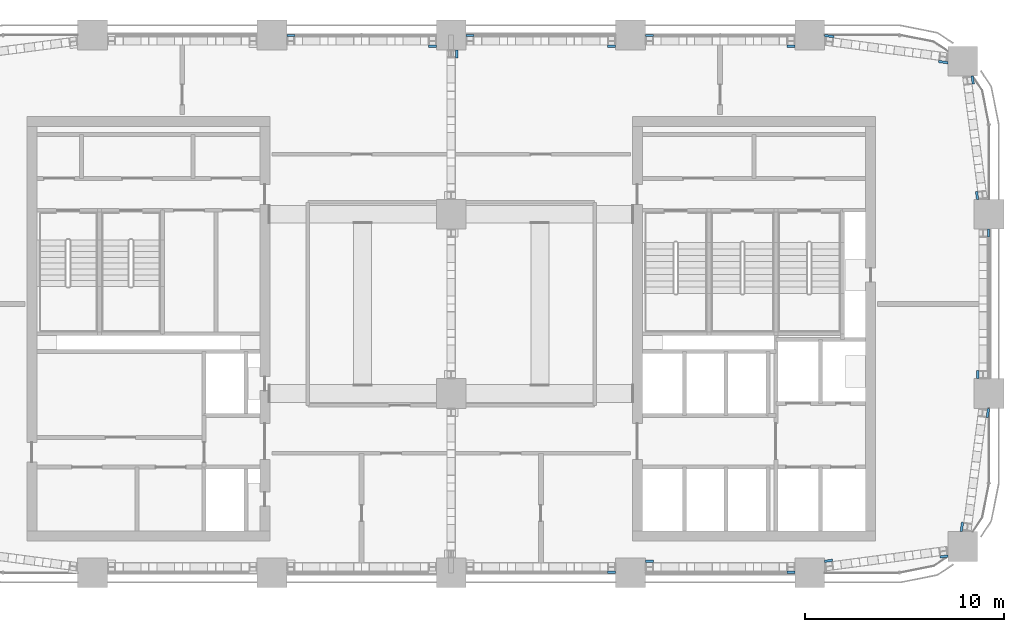
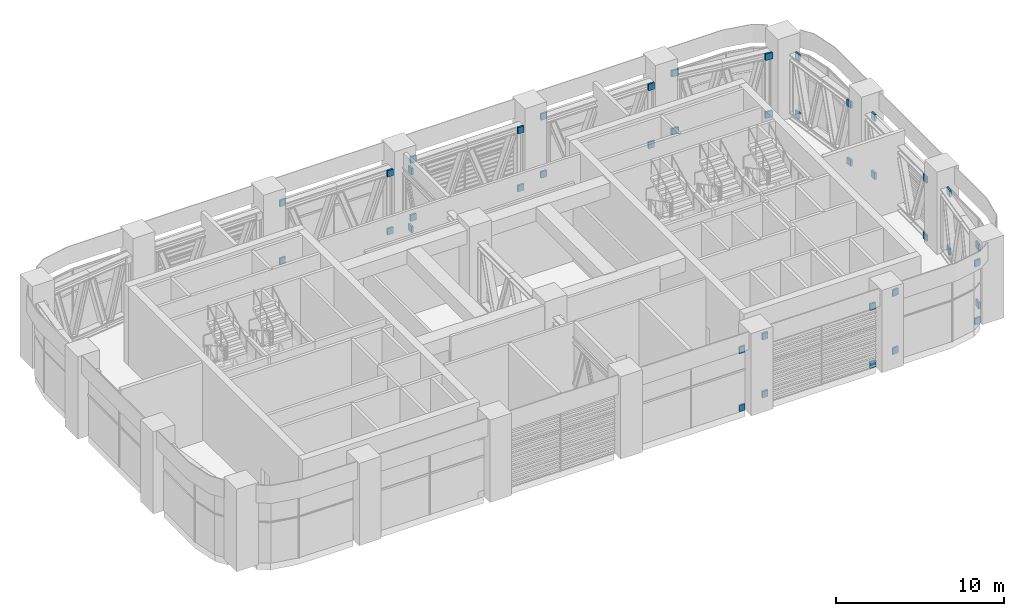
# One storey, part 16 of 19: 40 discrete accessories.
"""IFC4 building model written with IfcOpenShell, lengths in metres."""

from ifc_helpers import new_model, si_unit, direction, frame, origin, place, context, subcontext, project, spatial, polyline, outline, extrude, element, save


model = new_model("IFC4")

# Units and contexts
model_context = context("Model", 3, precision=1e-05, world=origin(), true_north=direction((0.0, 1.0)))
body_context = subcontext(model_context, "Body", "Model", "MODEL_VIEW")
ifc_project = project(units=[si_unit("LENGTHUNIT", "METRE"), si_unit("AREAUNIT", "SQUARE_METRE"), si_unit("VOLUMEUNIT", "CUBIC_METRE"), si_unit("PLANEANGLEUNIT", "RADIAN"), si_unit("MASSUNIT", "GRAM", prefix="KILO")], contexts=[model_context])

# Site, building, storey
site_placement = place(None, origin())
site = spatial("IfcSite", under=ifc_project, at=site_placement, CompositionType="ELEMENT")
building_placement = place(site_placement, origin())
building = spatial("IfcBuilding", under=site, at=building_placement, Name="Tessera Arch", CompositionType="ELEMENT")
storey_placement = place(building_placement, frame((0.0, 0.0, 197.300048828125)))
storey = spatial("IfcBuildingStorey", under=building, at=storey_placement, Name="L47", CompositionType="ELEMENT", Elevation=197.300048828125)

# Discrete accessories
discrete_accessory_1_placement = place(storey_placement, frame((0.0, 0.0, 4.225830078125)))
element("IfcDiscreteAccessory", 1, at=discrete_accessory_1_placement, inside=storey, Name="Chord seat bracket", PredefinedType="BRACKET", context=body_context, shape_type="SweptSolid", body=[
    extrude(outline(polyline([(53.488037109375, 36.75), (53.367919921875, 36.75), (53.367919921875, 37.14990234375), (53.488037109375, 37.14990234375), (53.488037109375, 36.75)])), origin(), (0.0, 0.0, 1.0), 0.47412109375),
])
discrete_accessory_2_placement = place(storey_placement, frame((0.0, 0.0, 4.225830078125)))
element("IfcDiscreteAccessory", 2, at=discrete_accessory_2_placement, inside=storey, Name="Chord seat bracket", PredefinedType="BRACKET", context=body_context, shape_type="SweptSolid", body=[
    extrude(outline(polyline([(53.912109375, 43.85009765625), (53.912109375, 44.25), (54.031982421875, 44.25), (54.031982421875, 43.85009765625), (53.912109375, 43.85009765625)])), origin(), (0.0, 0.0, 1.0), 0.47412109375),
])
discrete_accessory_3_placement = place(storey_placement, origin())
element("IfcDiscreteAccessory", 3, at=discrete_accessory_3_placement, inside=storey, Name="Chord seat bracket", PredefinedType="BRACKET", context=body_context, shape_type="SweptSolid", body=[
    extrude(outline(polyline([(53.488037109375, 36.75), (53.367919921875, 36.75), (53.367919921875, 37.14990234375), (53.488037109375, 37.14990234375), (53.488037109375, 36.75)])), origin(), (0.0, 0.0, 1.0), 0.47412109375),
])
discrete_accessory_4_placement = place(storey_placement, origin())
element("IfcDiscreteAccessory", 4, at=discrete_accessory_4_placement, inside=storey, Name="Chord seat bracket", PredefinedType="BRACKET", context=body_context, shape_type="SweptSolid", body=[
    extrude(outline(polyline([(53.912109375, 43.85009765625), (53.912109375, 44.25), (54.031982421875, 44.25), (54.031982421875, 43.85009765625), (53.912109375, 43.85009765625)])), origin(), (0.0, 0.0, 1.0), 0.47412109375),
])
discrete_accessory_5_placement = place(storey_placement, frame((0.0, 0.0, 4.225830078125)))
element("IfcDiscreteAccessory", 5, at=discrete_accessory_5_placement, inside=storey, Name="Chord seat bracket", PredefinedType="BRACKET", context=body_context, shape_type="SweptSolid", body=[
    extrude(outline(polyline([(53.43115234375, 46.146484375), (53.4833984375, 45.75), (53.362548828125, 45.75), (53.312255859375, 46.130859375), (53.43115234375, 46.146484375)])), origin(), (0.0, 0.0, 1.0), 0.47412109375),
])
discrete_accessory_6_placement = place(storey_placement, frame((0.0, 0.0, 4.225830078125)))
element("IfcDiscreteAccessory", 6, at=discrete_accessory_6_placement, inside=storey, Name="Chord seat bracket", PredefinedType="BRACKET", context=body_context, shape_type="SweptSolid", body=[
    extrude(outline(polyline([(53.148193359375, 51.52392578125), (53.094482421875, 51.931884765625), (53.21533203125, 51.931884765625), (53.267333984375, 51.53955078125), (53.148193359375, 51.52392578125)])), origin(), (0.0, 0.0, 1.0), 0.47412109375),
])
discrete_accessory_7_placement = place(storey_placement, origin())
element("IfcDiscreteAccessory", 7, at=discrete_accessory_7_placement, inside=storey, Name="Chord seat bracket", PredefinedType="BRACKET", context=body_context, shape_type="SweptSolid", body=[
    extrude(outline(polyline([(53.43115234375, 46.146484375), (53.4833984375, 45.75), (53.362548828125, 45.75), (53.312255859375, 46.130859375), (53.43115234375, 46.146484375)])), origin(), (0.0, 0.0, 1.0), 0.47412109375),
])
discrete_accessory_8_placement = place(storey_placement, origin())
element("IfcDiscreteAccessory", 8, at=discrete_accessory_8_placement, inside=storey, Name="Chord seat bracket", PredefinedType="BRACKET", context=body_context, shape_type="SweptSolid", body=[
    extrude(outline(polyline([(53.148193359375, 51.52392578125), (53.094482421875, 51.931884765625), (53.21533203125, 51.931884765625), (53.267333984375, 51.53955078125), (53.148193359375, 51.52392578125)])), origin(), (0.0, 0.0, 1.0), 0.47412109375),
])
discrete_accessory_9_placement = place(storey_placement, frame((0.0, 0.0, 4.225830078125)))
element("IfcDiscreteAccessory", 9, at=discrete_accessory_9_placement, inside=storey, Name="Chord seat bracket", PredefinedType="BRACKET", context=body_context, shape_type="SweptSolid", body=[
    extrude(outline(polyline([(51.468505859375, 52.727783203125), (51.931884765625, 52.66650390625), (51.931884765625, 52.545654296875), (51.45263671875, 52.60888671875), (51.468505859375, 52.727783203125)])), origin(), (0.0, 0.0, 1.0), 0.47412109375),
])
discrete_accessory_10_placement = place(storey_placement, frame((0.0, 0.0, 4.225830078125)))
element("IfcDiscreteAccessory", 10, at=discrete_accessory_10_placement, inside=storey, Name="Chord seat bracket", PredefinedType="BRACKET", context=body_context, shape_type="SweptSolid", body=[
    extrude(outline(polyline([(46.201904296875, 53.8515625), (45.75, 53.911376953125), (45.75, 54.0322265625), (46.2177734375, 53.970458984375), (46.201904296875, 53.8515625)])), origin(), (0.0, 0.0, 1.0), 0.47412109375),
])
discrete_accessory_11_placement = place(storey_placement, origin())
element("IfcDiscreteAccessory", 11, at=discrete_accessory_11_placement, inside=storey, Name="Chord seat bracket", PredefinedType="BRACKET", context=body_context, shape_type="SweptSolid", body=[
    extrude(outline(polyline([(51.468505859375, 52.727783203125), (51.931884765625, 52.66650390625), (51.931884765625, 52.545654296875), (51.45263671875, 52.60888671875), (51.468505859375, 52.727783203125)])), origin(), (0.0, 0.0, 1.0), 0.47412109375),
])
discrete_accessory_12_placement = place(storey_placement, origin())
element("IfcDiscreteAccessory", 12, at=discrete_accessory_12_placement, inside=storey, Name="Chord seat bracket", PredefinedType="BRACKET", context=body_context, shape_type="SweptSolid", body=[
    extrude(outline(polyline([(46.201904296875, 53.8515625), (45.75, 53.911376953125), (45.75, 54.0322265625), (46.2177734375, 53.970458984375), (46.201904296875, 53.8515625)])), origin(), (0.0, 0.0, 1.0), 0.47412109375),
])
discrete_accessory_13_placement = place(storey_placement, frame((0.0, 0.0, 4.225830078125)))
element("IfcDiscreteAccessory", 13, at=discrete_accessory_13_placement, inside=storey, Name="Chord seat bracket", PredefinedType="BRACKET", context=body_context, shape_type="SweptSolid", body=[
    extrude(outline(polyline([(43.85009765625, 53.488037109375), (44.25, 53.488037109375), (44.25, 53.367919921875), (43.85009765625, 53.367919921875), (43.85009765625, 53.488037109375)])), origin(), (0.0, 0.0, 1.0), 0.47412109375),
])
discrete_accessory_14_placement = place(storey_placement, frame((0.0, 0.0, 4.225830078125)))
element("IfcDiscreteAccessory", 14, at=discrete_accessory_14_placement, inside=storey, Name="Chord seat bracket", PredefinedType="BRACKET", context=body_context, shape_type="SweptSolid", body=[
    extrude(outline(polyline([(36.75, 53.912109375), (36.75, 54.031982421875), (37.14990234375, 54.031982421875), (37.14990234375, 53.912109375), (36.75, 53.912109375)])), origin(), (0.0, 0.0, 1.0), 0.47412109375),
])
discrete_accessory_15_placement = place(storey_placement, origin())
element("IfcDiscreteAccessory", 15, at=discrete_accessory_15_placement, inside=storey, Name="Chord seat bracket", PredefinedType="BRACKET", context=body_context, shape_type="SweptSolid", body=[
    extrude(outline(polyline([(43.85009765625, 53.488037109375), (44.25, 53.488037109375), (44.25, 53.367919921875), (43.85009765625, 53.367919921875), (43.85009765625, 53.488037109375)])), origin(), (0.0, 0.0, 1.0), 0.47412109375),
])
discrete_accessory_16_placement = place(storey_placement, origin())
element("IfcDiscreteAccessory", 16, at=discrete_accessory_16_placement, inside=storey, Name="Chord seat bracket", PredefinedType="BRACKET", context=body_context, shape_type="SweptSolid", body=[
    extrude(outline(polyline([(36.75, 53.912109375), (36.75, 54.031982421875), (37.14990234375, 54.031982421875), (37.14990234375, 53.912109375), (36.75, 53.912109375)])), origin(), (0.0, 0.0, 1.0), 0.47412109375),
])
discrete_accessory_17_placement = place(storey_placement, frame((0.0, 0.0, 4.225830078125)))
element("IfcDiscreteAccessory", 17, at=discrete_accessory_17_placement, inside=storey, Name="Chord seat bracket", PredefinedType="BRACKET", context=body_context, shape_type="SweptSolid", body=[
    extrude(outline(polyline([(35.25, 53.488037109375), (35.25, 53.367919921875), (34.85009765625, 53.367919921875), (34.85009765625, 53.488037109375), (35.25, 53.488037109375)])), origin(), (0.0, 0.0, 1.0), 0.47412109375),
])
discrete_accessory_18_placement = place(storey_placement, frame((0.0, 0.0, 4.225830078125)))
element("IfcDiscreteAccessory", 18, at=discrete_accessory_18_placement, inside=storey, Name="Chord seat bracket", PredefinedType="BRACKET", context=body_context, shape_type="SweptSolid", body=[
    extrude(outline(polyline([(28.14990234375, 53.912109375), (27.75, 53.912109375), (27.75, 54.031982421875), (28.14990234375, 54.031982421875), (28.14990234375, 53.912109375)])), origin(), (0.0, 0.0, 1.0), 0.47412109375),
])
discrete_accessory_19_placement = place(storey_placement, origin())
element("IfcDiscreteAccessory", 19, at=discrete_accessory_19_placement, inside=storey, Name="Chord seat bracket", PredefinedType="BRACKET", context=body_context, shape_type="SweptSolid", body=[
    extrude(outline(polyline([(35.25, 53.488037109375), (35.25, 53.367919921875), (34.85009765625, 53.367919921875), (34.85009765625, 53.488037109375), (35.25, 53.488037109375)])), origin(), (0.0, 0.0, 1.0), 0.47412109375),
])
discrete_accessory_20_placement = place(storey_placement, origin())
element("IfcDiscreteAccessory", 20, at=discrete_accessory_20_placement, inside=storey, Name="Chord seat bracket", PredefinedType="BRACKET", context=body_context, shape_type="SweptSolid", body=[
    extrude(outline(polyline([(28.14990234375, 53.912109375), (27.75, 53.912109375), (27.75, 54.031982421875), (28.14990234375, 54.031982421875), (28.14990234375, 53.912109375)])), origin(), (0.0, 0.0, 1.0), 0.47412109375),
])
discrete_accessory_21_placement = place(storey_placement, frame((0.0, 0.0, 4.225830078125)))
element("IfcDiscreteAccessory", 21, at=discrete_accessory_21_placement, inside=storey, Name="Chord seat bracket", PredefinedType="BRACKET", context=body_context, shape_type="SweptSolid", body=[
    extrude(outline(polyline([(25.85009765625, 53.488037109375), (26.25, 53.488037109375), (26.25, 53.367919921875), (25.85009765625, 53.367919921875), (25.85009765625, 53.488037109375)])), origin(), (0.0, 0.0, 1.0), 0.47412109375),
])
discrete_accessory_22_placement = place(storey_placement, frame((0.0, 0.0, 4.225830078125)))
element("IfcDiscreteAccessory", 22, at=discrete_accessory_22_placement, inside=storey, Name="Chord seat bracket", PredefinedType="BRACKET", context=body_context, shape_type="SweptSolid", body=[
    extrude(outline(polyline([(19.14990234375, 53.912109375), (18.75, 53.912109375), (18.75, 54.031982421875), (19.14990234375, 54.031982421875), (19.14990234375, 53.912109375)])), origin(), (0.0, 0.0, 1.0), 0.47412109375),
])
discrete_accessory_23_placement = place(storey_placement, origin())
element("IfcDiscreteAccessory", 23, at=discrete_accessory_23_placement, inside=storey, Name="Chord seat bracket", PredefinedType="BRACKET", context=body_context, shape_type="SweptSolid", body=[
    extrude(outline(polyline([(25.85009765625, 53.488037109375), (26.25, 53.488037109375), (26.25, 53.367919921875), (25.85009765625, 53.367919921875), (25.85009765625, 53.488037109375)])), origin(), (0.0, 0.0, 1.0), 0.47412109375),
])
discrete_accessory_24_placement = place(storey_placement, origin())
element("IfcDiscreteAccessory", 24, at=discrete_accessory_24_placement, inside=storey, Name="Chord seat bracket", PredefinedType="BRACKET", context=body_context, shape_type="SweptSolid", body=[
    extrude(outline(polyline([(19.14990234375, 53.912109375), (18.75, 53.912109375), (18.75, 54.031982421875), (19.14990234375, 54.031982421875), (19.14990234375, 53.912109375)])), origin(), (0.0, 0.0, 1.0), 0.47412109375),
])
for number, where, name in (
    (25, (0.0, 0.0, 4.225830078125), "Chord seat bracket"),
    (26, (0.0, 0.0, 0.0), "Chord seat bracket"),
):
    element("IfcDiscreteAccessory", number, at=place(storey_placement, frame(where)), inside=storey, Name=name, PredefinedType="BRACKET", context=body_context, shape_type="SweptSolid", body=[
        extrude(outline(polyline([(34.85009765625, 27.087890625), (35.25, 27.087890625), (35.25, 26.968017578125), (34.85009765625, 26.968017578125), (34.85009765625, 27.087890625)])), origin(), (0.0, 0.0, 1.0), 0.47412109375),
    ])
discrete_accessory_25_placement = place(storey_placement, frame((0.0, 0.0, 4.225830078125)))
element("IfcDiscreteAccessory", 27, at=discrete_accessory_25_placement, inside=storey, Name="Chord seat bracket", PredefinedType="BRACKET", context=body_context, shape_type="SweptSolid", body=[
    extrude(outline(polyline([(37.14990234375, 27.511962890625), (36.75, 27.511962890625), (36.75, 27.632080078125), (37.14990234375, 27.632080078125), (37.14990234375, 27.511962890625)])), origin(), (0.0, 0.0, 1.0), 0.47412109375),
])
discrete_accessory_26_placement = place(storey_placement, frame((0.0, 0.0, 4.225830078125)))
element("IfcDiscreteAccessory", 28, at=discrete_accessory_26_placement, inside=storey, Name="Chord seat bracket", PredefinedType="BRACKET", context=body_context, shape_type="SweptSolid", body=[
    extrude(outline(polyline([(43.85009765625, 27.087890625), (44.25, 27.087890625), (44.25, 26.968017578125), (43.85009765625, 26.968017578125), (43.85009765625, 27.087890625)])), origin(), (0.0, 0.0, 1.0), 0.47412109375),
])
discrete_accessory_27_placement = place(storey_placement, origin())
element("IfcDiscreteAccessory", 29, at=discrete_accessory_27_placement, inside=storey, Name="Chord seat bracket", PredefinedType="BRACKET", context=body_context, shape_type="SweptSolid", body=[
    extrude(outline(polyline([(37.14990234375, 27.511962890625), (36.75, 27.511962890625), (36.75, 27.632080078125), (37.14990234375, 27.632080078125), (37.14990234375, 27.511962890625)])), origin(), (0.0, 0.0, 1.0), 0.47412109375),
])
discrete_accessory_28_placement = place(storey_placement, origin())
element("IfcDiscreteAccessory", 30, at=discrete_accessory_28_placement, inside=storey, Name="Chord seat bracket", PredefinedType="BRACKET", context=body_context, shape_type="SweptSolid", body=[
    extrude(outline(polyline([(43.85009765625, 27.087890625), (44.25, 27.087890625), (44.25, 26.968017578125), (43.85009765625, 26.968017578125), (43.85009765625, 27.087890625)])), origin(), (0.0, 0.0, 1.0), 0.47412109375),
])
discrete_accessory_29_placement = place(storey_placement, frame((0.0, 0.0, 4.225830078125)))
element("IfcDiscreteAccessory", 31, at=discrete_accessory_29_placement, inside=storey, Name="Chord seat bracket", PredefinedType="BRACKET", context=body_context, shape_type="SweptSolid", body=[
    extrude(outline(polyline([(46.146484375, 27.56884765625), (45.75, 27.5166015625), (45.75, 27.637451171875), (46.130859375, 27.687744140625), (46.146484375, 27.56884765625)])), origin(), (0.0, 0.0, 1.0), 0.47412109375),
])
discrete_accessory_30_placement = place(storey_placement, frame((0.0, 0.0, 4.225830078125)))
element("IfcDiscreteAccessory", 32, at=discrete_accessory_30_placement, inside=storey, Name="Chord seat bracket", PredefinedType="BRACKET", context=body_context, shape_type="SweptSolid", body=[
    extrude(outline(polyline([(51.52392578125, 27.851806640625), (51.931884765625, 27.905517578125), (51.931884765625, 27.78466796875), (51.53955078125, 27.732666015625), (51.52392578125, 27.851806640625)])), origin(), (0.0, 0.0, 1.0), 0.47412109375),
])
discrete_accessory_31_placement = place(storey_placement, origin())
element("IfcDiscreteAccessory", 33, at=discrete_accessory_31_placement, inside=storey, Name="Chord seat bracket", PredefinedType="BRACKET", context=body_context, shape_type="SweptSolid", body=[
    extrude(outline(polyline([(46.146484375, 27.56884765625), (45.75, 27.5166015625), (45.75, 27.637451171875), (46.130859375, 27.687744140625), (46.146484375, 27.56884765625)])), origin(), (0.0, 0.0, 1.0), 0.47412109375),
])
discrete_accessory_32_placement = place(storey_placement, origin())
element("IfcDiscreteAccessory", 34, at=discrete_accessory_32_placement, inside=storey, Name="Chord seat bracket", PredefinedType="BRACKET", context=body_context, shape_type="SweptSolid", body=[
    extrude(outline(polyline([(51.52392578125, 27.851806640625), (51.931884765625, 27.905517578125), (51.931884765625, 27.78466796875), (51.53955078125, 27.732666015625), (51.52392578125, 27.851806640625)])), origin(), (0.0, 0.0, 1.0), 0.47412109375),
])
discrete_accessory_33_placement = place(storey_placement, frame((0.0, 0.0, 4.225830078125)))
element("IfcDiscreteAccessory", 35, at=discrete_accessory_33_placement, inside=storey, Name="Chord seat bracket", PredefinedType="BRACKET", context=body_context, shape_type="SweptSolid", body=[
    extrude(outline(polyline([(52.727783203125, 29.531494140625), (52.66650390625, 29.068115234375), (52.545654296875, 29.068115234375), (52.60888671875, 29.54736328125), (52.727783203125, 29.531494140625)])), origin(), (0.0, 0.0, 1.0), 0.47412109375),
])
discrete_accessory_34_placement = place(storey_placement, frame((0.0, 0.0, 4.225830078125)))
element("IfcDiscreteAccessory", 36, at=discrete_accessory_34_placement, inside=storey, Name="Chord seat bracket", PredefinedType="BRACKET", context=body_context, shape_type="SweptSolid", body=[
    extrude(outline(polyline([(53.911376953125, 35.25), (54.0322265625, 35.25), (53.970458984375, 34.7822265625), (53.8515625, 34.798095703125), (53.911376953125, 35.25)])), origin(), (0.0, 0.0, 1.0), 0.47412109375),
])
discrete_accessory_35_placement = place(storey_placement, origin())
element("IfcDiscreteAccessory", 37, at=discrete_accessory_35_placement, inside=storey, Name="Chord seat bracket", PredefinedType="BRACKET", context=body_context, shape_type="SweptSolid", body=[
    extrude(outline(polyline([(52.727783203125, 29.531494140625), (52.66650390625, 29.068115234375), (52.545654296875, 29.068115234375), (52.60888671875, 29.54736328125), (52.727783203125, 29.531494140625)])), origin(), (0.0, 0.0, 1.0), 0.47412109375),
])
discrete_accessory_36_placement = place(storey_placement, origin())
element("IfcDiscreteAccessory", 38, at=discrete_accessory_36_placement, inside=storey, Name="Chord seat bracket", PredefinedType="BRACKET", context=body_context, shape_type="SweptSolid", body=[
    extrude(outline(polyline([(53.911376953125, 35.25), (54.0322265625, 35.25), (53.970458984375, 34.7822265625), (53.8515625, 34.798095703125), (53.911376953125, 35.25)])), origin(), (0.0, 0.0, 1.0), 0.47412109375),
])
for number, where, name in (
    (39, (0.0, 0.0, 4.225830078125), "Chord seat bracket"),
    (40, (0.0, 0.0, 0.0), "Chord seat bracket"),
):
    element("IfcDiscreteAccessory", number, at=place(storey_placement, frame(where)), inside=storey, Name=name, PredefinedType="BRACKET", context=body_context, shape_type="SweptSolid", body=[
        extrude(outline(polyline([(27.2119140625, 52.849853515625), (27.2119140625, 53.25), (27.33203125, 53.25), (27.33203125, 52.849853515625), (27.2119140625, 52.849853515625)])), origin(), (0.0, 0.0, 1.0), 0.47412109375),
    ])

save(model, "model.ifc")
